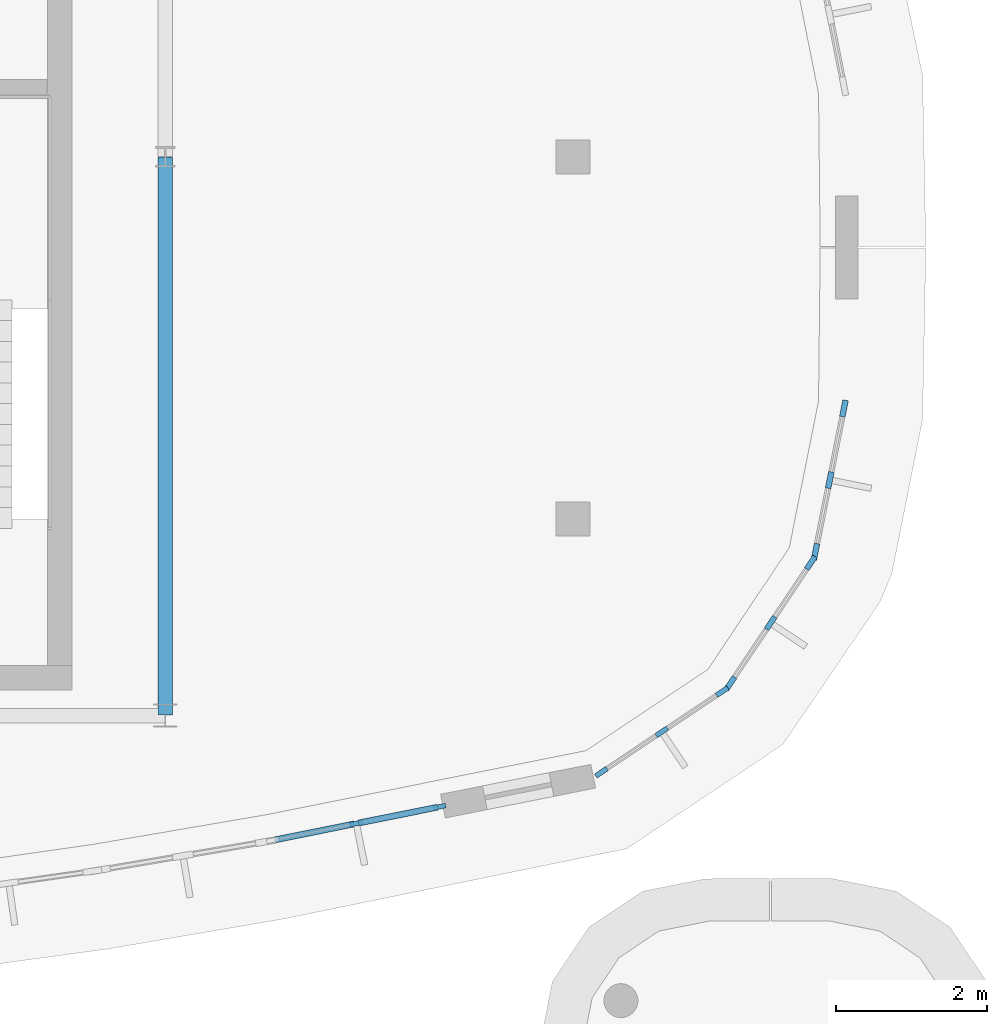
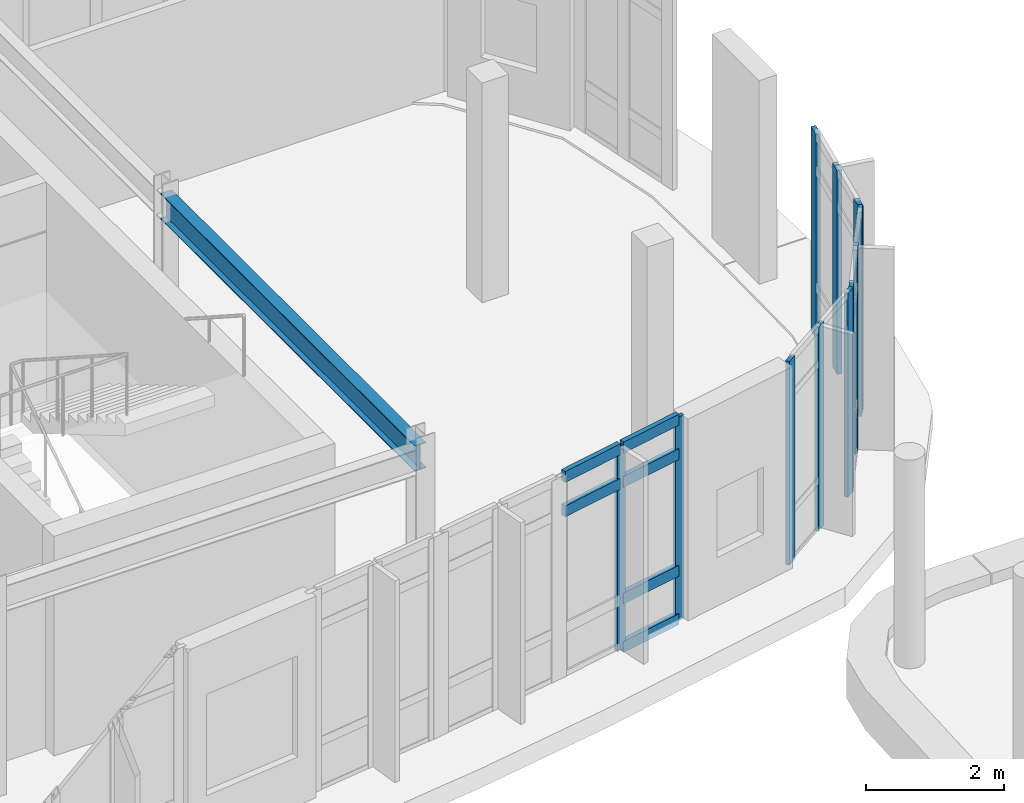
# One storey, part 39 of 111: 17 members, 1 beam, 4 elements without a shape of their own.
"""IFC4 building model written with IfcOpenShell, lengths in metres."""

from ifc_helpers import new_model, si_unit, direction, frame, origin, origin_2d, place, context, subcontext, project, spatial, rectangle, i_section, extrude, material, material_profile, profile_set, type_object, element, aggregate, save


model = new_model("IFC4")

# Units and contexts
model_context = context("Model", 3, precision=1e-05, world=origin(), true_north=direction((0.0, 1.0)))
body_context = subcontext(model_context, "Body", "Model", "MODEL_VIEW")
ifc_project = project(units=[si_unit("LENGTHUNIT", "METRE"), si_unit("AREAUNIT", "SQUARE_METRE"), si_unit("VOLUMEUNIT", "CUBIC_METRE"), si_unit("PLANEANGLEUNIT", "RADIAN"), si_unit("MASSUNIT", "GRAM", prefix="KILO")], contexts=[model_context])

# Site, building, storey
site_placement = place(None, origin())
site = spatial("IfcSite", under=ifc_project, at=site_placement, CompositionType="ELEMENT")
building_placement = place(site_placement, origin())
building = spatial("IfcBuilding", under=site, at=building_placement, Name="Corveleigh Park Community Centre", CompositionType="ELEMENT")
storey_placement = place(building_placement, frame((0.0, 0.0, 4.800048828125)))
storey = spatial("IfcBuildingStorey", under=building, at=storey_placement, Name="L01", CompositionType="ELEMENT", Elevation=4.800048828125)

# Beam
ifc_material_1 = material(Name="Steel S355", Category="steel")
ifc_material_profile_1 = material_profile(ifc_material_1, i_section(OverallWidth=0.1904296875, OverallDepth=0.45703125, WebThickness=0.009033203125, FlangeThickness=0.014404296875, at=origin_2d()), Name="UKB 457x191x74", Category="steel")
ifc_profile_set_1 = profile_set([ifc_material_profile_1], Name="Steel S355")
beam_type = type_object("IfcBeamType", Name="BM-STL-UKB457x74", PredefinedType="BEAM", material=ifc_profile_set_1)
beam_placement = place(storey_placement, frame((46.39990234375, 78.0048828125, 3.428466796875), z_axis=(0.0, 1.0, 0.0), x_axis=(-1.0, 0.0, 0.0)))
element("IfcBeam", 1, at=beam_placement, inside=storey, type_object=beam_type, Name="V2 Studio Girder Y", PredefinedType="BEAM", context=body_context, shape_type="SweptSolid", body=[
    extrude(i_section(OverallWidth=0.1904296875, OverallDepth=0.45703125, WebThickness=0.009033203125, FlangeThickness=0.014404296875, at=origin_2d()), origin(), (0.0, 0.0, 1.0), 7.39013671875),
])

# Curtain wall, members
ifc_material_2 = material(Name="Anodised aluminium 6063-T6", Category="aluminium")
curtain_wall_type = type_object("IfcCurtainWallType", Name="CW-SYS-V2-HALL", PredefinedType="NOTDEFINED", material=ifc_material_2)
curtain_wall_1_placement = place(storey_placement, origin())
curtain_wall_1 = element("IfcCurtainWall", 2, at=curtain_wall_1_placement, inside=storey, type_object=curtain_wall_type, Name="V2 L01 Curtain Wall 205", PredefinedType="NOTDEFINED")
ifc_material_profile_2 = material_profile(ifc_material_2, rectangle(XDim=0.06005859375, YDim=0.159912109375, at=origin_2d()), Name="ALU-M60x160", Category="aluminium")
ifc_profile_set_2 = profile_set([ifc_material_profile_2], Name="Anodised aluminium 6063-T6")
member_type_1 = type_object("IfcMemberType", Name="CWM-60x160", PredefinedType="MULLION", material=ifc_profile_set_2)
member_1_placement = place(storey_placement, frame((50.03662109375, 76.79296875, 0.0), z_axis=(0.0, 0.0, 1.0), x_axis=(0.197111378544, -0.980381101638, 0.0)))
member_1 = element("IfcMember", 3, at=member_1_placement, type_object=member_type_1, Name="CW04 mullion 1", PredefinedType="MULLION", context=body_context, shape_type="SweptSolid", body=[
    extrude(rectangle(XDim=0.06005859375, YDim=0.159912109375, at=origin_2d()), origin(), (0.0, 0.0, 1.0), 3.619873046875),
])
member_2_placement = place(storey_placement, frame((48.929443359375, 76.570556640625, 0.0), z_axis=(0.0, 0.0, 1.0), x_axis=(0.197111378544, -0.980381101638, 0.0)))
member_2 = element("IfcMember", 4, at=member_2_placement, type_object=member_type_1, Name="CW04 mullion 2", PredefinedType="MULLION", context=body_context, shape_type="SweptSolid", body=[
    extrude(rectangle(XDim=0.06005859375, YDim=0.159912109375, at=origin_2d()), origin(), (0.0, 0.0, 1.0), 3.619873046875),
])

curtain_wall_2_placement = place(storey_placement, origin())
curtain_wall_2 = element("IfcCurtainWall", 5, at=curtain_wall_2_placement, inside=storey, type_object=curtain_wall_type, Name="V2 L01 Curtain Wall 206", PredefinedType="NOTDEFINED")
ifc_material_profile_3 = material_profile(ifc_material_2, rectangle(XDim=0.06494140625, YDim=0.179931640625, at=origin_2d()), Name="ALU-M65x180", Category="aluminium")
ifc_profile_set_3 = profile_set([ifc_material_profile_3], Name="Anodised aluminium 6063-T6")
member_type_2 = type_object("IfcMemberType", Name="CWM-65x180", PredefinedType="MULLION", material=ifc_profile_set_3)
member_3_placement = place(storey_placement, frame((53.77490234375, 78.31787109375, 0.0), z_axis=(0.0, 0.0, 1.0), x_axis=(0.555512027575, -0.831508500991, 0.0)))
member_3 = element("IfcMember", 6, at=member_3_placement, type_object=member_type_2, Name="CW04 mullion 1", PredefinedType="MULLION", context=body_context, shape_type="SweptSolid", body=[
    extrude(rectangle(XDim=0.06494140625, YDim=0.179931640625, at=origin_2d()), origin(), (0.0, 0.0, 1.0), 3.619873046875),
])
member_4_placement = place(storey_placement, frame((52.97509765625, 77.783447265625, 0.0), z_axis=(0.0, 0.0, 1.0), x_axis=(0.555512027575, -0.831508500991, 0.0)))
member_4 = element("IfcMember", 7, at=member_4_placement, type_object=member_type_2, Name="CW04 mullion 2", PredefinedType="MULLION", context=body_context, shape_type="SweptSolid", body=[
    extrude(rectangle(XDim=0.06494140625, YDim=0.179931640625, at=origin_2d()), origin(), (0.0, 0.0, 1.0), 3.619873046875),
])
member_5_placement = place(storey_placement, frame((52.175048828125, 77.2490234375, 0.0), z_axis=(0.0, 0.0, 1.0), x_axis=(0.555512027575, -0.831508500991, 0.0)))
member_5 = element("IfcMember", 8, at=member_5_placement, type_object=member_type_2, Name="CW04 mullion 3", PredefinedType="MULLION", context=body_context, shape_type="SweptSolid", body=[
    extrude(rectangle(XDim=0.06494140625, YDim=0.179931640625, at=origin_2d()), origin(), (0.0, 0.0, 1.0), 3.619873046875),
])
aggregate(curtain_wall_2, [member_3, member_4, member_5])

curtain_wall_3_placement = place(storey_placement, origin())
curtain_wall_3 = element("IfcCurtainWall", 9, at=curtain_wall_3_placement, inside=storey, type_object=curtain_wall_type, Name="V2 L01 Curtain Wall 207", PredefinedType="NOTDEFINED")
ifc_material_profile_4 = material_profile(ifc_material_2, rectangle(XDim=0.070068359375, YDim=0.199951171875, at=origin_2d()), Name="ALU-M70x200", Category="aluminium")
ifc_profile_set_4 = profile_set([ifc_material_profile_4], Name="Anodised aluminium 6063-T6")
member_type_3 = type_object("IfcMemberType", Name="CWM-70x200", PredefinedType="MULLION", material=ifc_profile_set_4)
member_6_placement = place(storey_placement, frame((54.949462890625, 80.02294921875, 0.0), z_axis=(0.0, 0.0, 1.0), x_axis=(0.831508500991, -0.555512027575, 0.0)))
member_6 = element("IfcMember", 10, at=member_6_placement, type_object=member_type_3, Name="CW04 mullion 1", PredefinedType="MULLION", context=body_context, shape_type="SweptSolid", body=[
    extrude(rectangle(XDim=0.070068359375, YDim=0.199951171875, at=origin_2d()), origin(), (0.0, 0.0, 1.0), 3.619873046875),
])
member_7_placement = place(storey_placement, frame((54.41650390625, 79.22509765625, 0.0), z_axis=(0.0, 0.0, 1.0), x_axis=(0.831508500991, -0.555512027575, 0.0)))
member_7 = element("IfcMember", 11, at=member_7_placement, type_object=member_type_3, Name="CW04 mullion 2", PredefinedType="MULLION", context=body_context, shape_type="SweptSolid", body=[
    extrude(rectangle(XDim=0.070068359375, YDim=0.199951171875, at=origin_2d()), origin(), (0.0, 0.0, 1.0), 3.619873046875),
])
member_8_placement = place(storey_placement, frame((53.883544921875, 78.427001953125, 0.0), z_axis=(0.0, 0.0, 1.0), x_axis=(0.831508500991, -0.555512027575, 0.0)))
member_8 = element("IfcMember", 12, at=member_8_placement, type_object=member_type_3, Name="CW04 mullion 3", PredefinedType="MULLION", context=body_context, shape_type="SweptSolid", body=[
    extrude(rectangle(XDim=0.070068359375, YDim=0.199951171875, at=origin_2d()), origin(), (0.0, 0.0, 1.0), 3.619873046875),
])
aggregate(curtain_wall_3, [member_6, member_7, member_8])

curtain_wall_4_placement = place(storey_placement, origin())
curtain_wall_4 = element("IfcCurtainWall", 13, at=curtain_wall_4_placement, inside=storey, type_object=curtain_wall_type, Name="V2 L01 Curtain Wall 208", PredefinedType="NOTDEFINED")
ifc_material_profile_5 = material_profile(ifc_material_2, rectangle(XDim=0.074951171875, YDim=0.219970703125, at=origin_2d()), Name="ALU-M75x220", Category="aluminium")
ifc_profile_set_5 = profile_set([ifc_material_profile_5], Name="Anodised aluminium 6063-T6")
member_type_4 = type_object("IfcMemberType", Name="CWM-75x220", PredefinedType="MULLION", material=ifc_profile_set_5)
member_9_placement = place(storey_placement, frame((55.3876953125, 82.067138671875, 0.0), z_axis=(0.0, 0.0, 1.0), x_axis=(0.980790638289, -0.195063384171, 0.0)))
member_9 = element("IfcMember", 14, at=member_9_placement, type_object=member_type_4, Name="CW04 mullion 1", PredefinedType="MULLION", context=body_context, shape_type="SweptSolid", body=[
    extrude(rectangle(XDim=0.074951171875, YDim=0.219970703125, at=origin_2d()), origin(), (0.0, 0.0, 1.0), 3.619873046875),
])
member_10_placement = place(storey_placement, frame((55.198974609375, 81.118408203125, 0.0), z_axis=(0.0, 0.0, 1.0), x_axis=(0.980790638289, -0.195063384171, 0.0)))
member_10 = element("IfcMember", 15, at=member_10_placement, type_object=member_type_4, Name="CW04 mullion 2", PredefinedType="MULLION", context=body_context, shape_type="SweptSolid", body=[
    extrude(rectangle(XDim=0.074951171875, YDim=0.219970703125, at=origin_2d()), origin(), (0.0, 0.0, 1.0), 3.619873046875),
])
member_11_placement = place(storey_placement, frame((55.01025390625, 80.169677734375, 0.0), z_axis=(0.0, 0.0, 1.0), x_axis=(0.980790638289, -0.195063384171, 0.0)))
member_11 = element("IfcMember", 16, at=member_11_placement, type_object=member_type_4, Name="CW04 mullion 3", PredefinedType="MULLION", context=body_context, shape_type="SweptSolid", body=[
    extrude(rectangle(XDim=0.074951171875, YDim=0.219970703125, at=origin_2d()), origin(), (0.0, 0.0, 1.0), 3.619873046875),
])
aggregate(curtain_wall_4, [member_9, member_10, member_11])

# Member
ifc_material_profile_6 = material_profile(ifc_material_2, rectangle(XDim=0.080078125, YDim=0.195068359375, at=origin_2d()), Name="ALU-T80x195", Category="aluminium")
ifc_profile_set_6 = profile_set([ifc_material_profile_6], Name="Anodised aluminium 6063-T6")
member_type_5 = type_object("IfcMemberType", Name="CWT-80x195", PredefinedType="USERDEFINED", material=ifc_profile_set_6)
member_12_placement = place(storey_placement, frame((50.007080078125, 76.787109375, 0.0400390625), z_axis=(-0.980386964619, -0.197082215343, 0.0), x_axis=(0.197082215343, -0.980386964619, 0.0)))
member_12 = element("IfcMember", 17, at=member_12_placement, type_object=member_type_5, Name="CW04 transom 1.1", ObjectType="TRANSOM", PredefinedType="USERDEFINED", context=body_context, shape_type="SweptSolid", body=[
    extrude(rectangle(XDim=0.080078125, YDim=0.195068359375, at=origin_2d()), origin(), (0.0, 0.0, 1.0), 1.069091796875),
])

member_13_placement = place(storey_placement, frame((50.007080078125, 76.787109375, 0.89990234375), z_axis=(-0.980386964619, -0.197082215343, 0.0), x_axis=(0.197082215343, -0.980386964619, 0.0)))
member_13 = element("IfcMember", 18, at=member_13_placement, type_object=member_type_5, Name="CW04 transom 1.2", ObjectType="TRANSOM", PredefinedType="USERDEFINED", context=body_context, shape_type="SweptSolid", body=[
    extrude(rectangle(XDim=0.080078125, YDim=0.195068359375, at=origin_2d()), origin(), (0.0, 0.0, 1.0), 1.069091796875),
])

member_14_placement = place(storey_placement, frame((50.007080078125, 76.787109375, 2.969970703125), z_axis=(-0.980386964619, -0.197082215343, 0.0), x_axis=(0.197082215343, -0.980386964619, 0.0)))
member_14 = element("IfcMember", 19, at=member_14_placement, type_object=member_type_5, Name="CW04 transom 1.3", ObjectType="TRANSOM", PredefinedType="USERDEFINED", context=body_context, shape_type="SweptSolid", body=[
    extrude(rectangle(XDim=0.080078125, YDim=0.195068359375, at=origin_2d()), origin(), (0.0, 0.0, 1.0), 1.069091796875),
])

member_15_placement = place(storey_placement, frame((50.007080078125, 76.787109375, 3.579833984375), z_axis=(-0.980386964619, -0.197082215343, 0.0), x_axis=(0.197082215343, -0.980386964619, 0.0)))
member_15 = element("IfcMember", 20, at=member_15_placement, type_object=member_type_5, Name="CW04 transom 1.4", ObjectType="TRANSOM", PredefinedType="USERDEFINED", context=body_context, shape_type="SweptSolid", body=[
    extrude(rectangle(XDim=0.080078125, YDim=0.195068359375, at=origin_2d()), origin(), (0.0, 0.0, 1.0), 1.069091796875),
])

member_16_placement = place(storey_placement, frame((48.900146484375, 76.564697265625, 2.969970703125), z_axis=(-0.980351703898, -0.197257538931, 0.0), x_axis=(0.197257538931, -0.980351703898, 0.0)))
member_16 = element("IfcMember", 21, at=member_16_placement, type_object=member_type_5, Name="CW04 transom 2.3", ObjectType="TRANSOM", PredefinedType="USERDEFINED", context=body_context, shape_type="SweptSolid", body=[
    extrude(rectangle(XDim=0.080078125, YDim=0.195068359375, at=origin_2d()), origin(), (0.0, 0.0, 1.0), 1.0693359375),
])

member_17_placement = place(storey_placement, frame((48.900146484375, 76.564697265625, 3.579833984375), z_axis=(-0.980351703898, -0.197257538931, 0.0), x_axis=(0.197257538931, -0.980351703898, 0.0)))
member_17 = element("IfcMember", 22, at=member_17_placement, type_object=member_type_5, Name="CW04 transom 2.4", ObjectType="TRANSOM", PredefinedType="USERDEFINED", context=body_context, shape_type="SweptSolid", body=[
    extrude(rectangle(XDim=0.080078125, YDim=0.195068359375, at=origin_2d()), origin(), (0.0, 0.0, 1.0), 1.0693359375),
])

aggregate(curtain_wall_1, [member_1, member_2, member_12, member_13, member_14, member_15, member_16, member_17])

save(model, "model.ifc")
